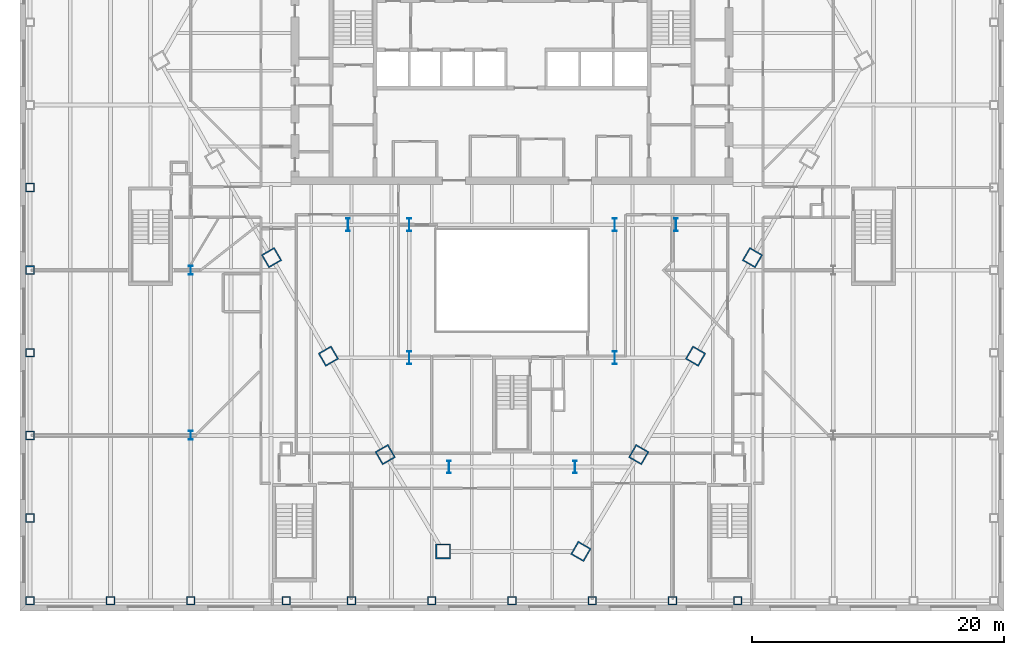
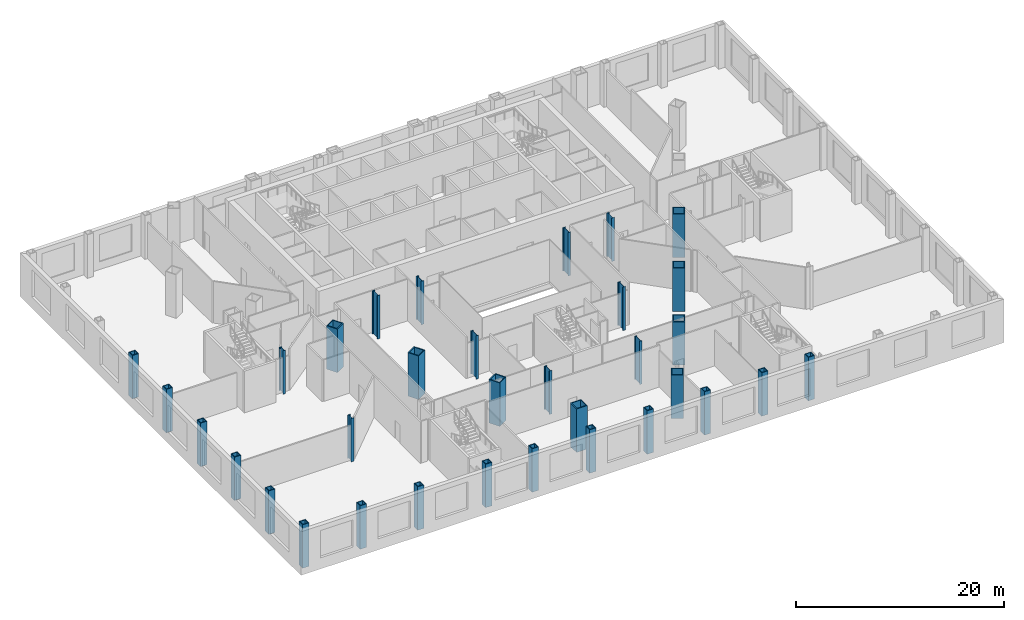
# One storey, part 1 of 21: 33 columns.
"""IFC4 building model written with IfcOpenShell, lengths in metres."""

from ifc_helpers import new_model, si_unit, direction, frame, origin, origin_2d, place, context, subcontext, project, spatial, hollow_rectangle, i_section, extrude, material, material_profile, profile_set, type_object, element, save


model = new_model("IFC4")

# Units and contexts
model_context = context("Model", 3, precision=1e-05, world=origin(), true_north=direction((0.0, 1.0)))
body_context = subcontext(model_context, "Body", "Model", "MODEL_VIEW")
ifc_project = project(units=[si_unit("LENGTHUNIT", "METRE"), si_unit("AREAUNIT", "SQUARE_METRE"), si_unit("VOLUMEUNIT", "CUBIC_METRE"), si_unit("PLANEANGLEUNIT", "RADIAN"), si_unit("MASSUNIT", "GRAM", prefix="KILO")], contexts=[model_context])

# Site, building, storey
site_placement = place(None, origin())
site = spatial("IfcSite", under=ifc_project, at=site_placement, CompositionType="ELEMENT")
building_placement = place(site_placement, origin())
building = spatial("IfcBuilding", under=site, at=building_placement, Name="Njiva Tower", CompositionType="ELEMENT")
storey_placement = place(building_placement, frame((0.0, 0.0, 13.5)))
storey = spatial("IfcBuildingStorey", under=building, at=storey_placement, Name="L02", CompositionType="ELEMENT", Elevation=13.5)

# Columns
ifc_material = material(Name="Steel S355 J2", Category="steel")
ifc_material_profile_1 = material_profile(ifc_material, hollow_rectangle(XDim=1.2, YDim=1.2, WallThickness=0.1, at=origin_2d()), Name="BOX 1200x1200x100")
ifc_profile_set_1 = profile_set([ifc_material_profile_1], Name="Steel S355 J2")
column_type_1 = type_object("IfcColumnType", Name="C1 Mega-column BOX 1200x1200x100", PredefinedType="COLUMN", material=ifc_profile_set_1)
for number, where, z_axis, x_axis, name in (
    (1, (-19.061, -5.807, 0.0), (0.0, 0.0, 1.0), (0.5, -0.866025403784, 0.0), "Mega-column L02-C09"),
    (2, (-14.553, -13.615, 0.0), (0.0, 0.0, 1.0), (0.5, -0.866025403784, 0.0), "Mega-column L02-C10"),
    (3, (-10.046, -21.422, 0.0), (0.0, 0.0, 1.0), (0.5, -0.866025403784, 0.0), "Mega-column L02-C11"),
    (4, (-5.461, -29.096, 0.0), (0.0, 0.0, 1.0), (1.0, 0.0, 0.0), "Mega-column L02-C12"),
    (5, (5.461, -29.096, 0.0), (0.0, 0.0, 1.0), (0.5, 0.866025403784, 0.0), "Mega-column L02-C13"),
    (6, (10.046, -21.422, 0.0), (0.0, 0.0, 1.0), (0.5, 0.866025403784, 0.0), "Mega-column L02-C14"),
    (7, (14.553, -13.615, 0.0), (0.0, 0.0, 1.0), (0.5, 0.866025403784, 0.0), "Mega-column L02-C15"),
    (8, (19.061, -5.807, 0.0), (0.0, 0.0, 1.0), (0.5, 0.866025403784, 0.0), "Mega-column L02-C16"),
):
    element("IfcColumn", number, at=place(storey_placement, frame(where, z_axis=z_axis, x_axis=x_axis)), inside=storey, type_object=column_type_1, Name=name, PredefinedType="COLUMN", context=body_context, shape_type="SweptSolid", body=[
        extrude(hollow_rectangle(XDim=1.2, YDim=1.2, WallThickness=0.1, at=origin_2d()), origin(), (0.0, 0.0, 1.0), 5.1),
    ])
ifc_material_profile_2 = material_profile(ifc_material, i_section(OverallWidth=0.302, OverallDepth=1.008, WebThickness=0.021, FlangeThickness=0.04, at=origin_2d()), Name="HEM 1000")
ifc_profile_set_2 = profile_set([ifc_material_profile_2], Name="Steel S355 J2")
column_type_2 = type_object("IfcColumnType", Name="C2 Interior column HEM 1000", PredefinedType="COLUMN", material=ifc_profile_set_2)
for number, where, z_axis, x_axis, name in (
    (9, (8.15, -3.2, 0.0), (0.0, 0.0, 1.0), (1.0, 0.0, 0.0), "Interior column L02-C19"),
    (10, (-8.15, -3.2, 0.0), (0.0, 0.0, 1.0), (1.0, 0.0, 0.0), "Interior column L02-C20"),
    (11, (8.15, -13.75, 0.0), (0.0, 0.0, 1.0), (1.0, 0.0, 0.0), "Interior column L02-C21"),
    (12, (-8.15, -13.75, 0.0), (0.0, 0.0, 1.0), (1.0, 0.0, 0.0), "Interior column L02-C22"),
    (13, (5.0, -22.4, 0.0), (0.0, 0.0, 1.0), (1.0, 0.0, 0.0), "Interior column L02-C23"),
    (14, (-5.0, -22.4, 0.0), (0.0, 0.0, 1.0), (1.0, 0.0, 0.0), "Interior column L02-C24"),
    (15, (13.0, -3.2, 0.0), (0.0, 0.0, 1.0), (1.0, 0.0, 0.0), "Interior column L02-C25"),
    (16, (-13.0, -3.2, 0.0), (0.0, 0.0, 1.0), (1.0, 0.0, 0.0), "Interior column L02-C26"),
):
    element("IfcColumn", number, at=place(storey_placement, frame(where, z_axis=z_axis, x_axis=x_axis)), inside=storey, type_object=column_type_2, Name=name, PredefinedType="COLUMN", context=body_context, shape_type="SweptSolid", body=[
        extrude(i_section(OverallWidth=0.302, OverallDepth=1.008, WebThickness=0.021, FlangeThickness=0.04, at=origin_2d()), origin(), (0.0, 0.0, 1.0), 5.1),
    ])
ifc_material_profile_3 = material_profile(ifc_material, hollow_rectangle(XDim=0.7, YDim=0.7, WallThickness=0.08, at=origin_2d()), Name="BOX 700x700x80")
ifc_profile_set_3 = profile_set([ifc_material_profile_3], Name="Steel S355 J2")
column_type_3 = type_object("IfcColumnType", Name="C3 Podium perimeter column BOX 700x700x80", PredefinedType="COLUMN", material=ifc_profile_set_3)
for number, where, z_axis, x_axis, name in (
    (17, (-38.2, -0.25, 0.0), (0.0, 0.0, 1.0), (0.0, -1.0, 0.0), "Podium perimeter column L02-C45"),
    (18, (-38.2, -6.8, 0.0), (0.0, 0.0, 1.0), (0.0, -1.0, 0.0), "Podium perimeter column L02-C46"),
    (19, (-38.2, -13.35, 0.0), (0.0, 0.0, 1.0), (0.0, -1.0, 0.0), "Podium perimeter column L02-C47"),
    (20, (-38.2, -19.9, 0.0), (0.0, 0.0, 1.0), (0.0, -1.0, 0.0), "Podium perimeter column L02-C48"),
    (21, (-38.2, -26.45, 0.0), (0.0, 0.0, 1.0), (0.0, -1.0, 0.0), "Podium perimeter column L02-C49"),
    (22, (-38.2, -33.0, 0.0), (0.0, 0.0, 1.0), (1.0, 0.0, 0.0), "Podium perimeter column L02-C50"),
    (23, (-31.833, -33.0, 0.0), (0.0, 0.0, 1.0), (1.0, 0.0, 0.0), "Podium perimeter column L02-C51"),
    (24, (-25.467, -33.0, 0.0), (0.0, 0.0, 1.0), (1.0, 0.0, 0.0), "Podium perimeter column L02-C52"),
    (25, (-17.9, -33.0, 0.0), (0.0, 0.0, 1.0), (1.0, 0.0, 0.0), "Podium perimeter column L02-C53"),
    (26, (-12.733, -33.0, 0.0), (0.0, 0.0, 1.0), (1.0, 0.0, 0.0), "Podium perimeter column L02-C54"),
    (27, (-6.367, -33.0, 0.0), (0.0, 0.0, 1.0), (1.0, 0.0, 0.0), "Podium perimeter column L02-C55"),
    (28, (0.0, -33.0, 0.0), (0.0, 0.0, 1.0), (1.0, 0.0, 0.0), "Podium perimeter column L02-C56"),
    (29, (6.367, -33.0, 0.0), (0.0, 0.0, 1.0), (1.0, 0.0, 0.0), "Podium perimeter column L02-C57"),
    (30, (12.733, -33.0, 0.0), (0.0, 0.0, 1.0), (1.0, 0.0, 0.0), "Podium perimeter column L02-C58"),
    (31, (17.9, -33.0, 0.0), (0.0, 0.0, 1.0), (1.0, 0.0, 0.0), "Podium perimeter column L02-C59"),
):
    element("IfcColumn", number, at=place(storey_placement, frame(where, z_axis=z_axis, x_axis=x_axis)), inside=storey, type_object=column_type_3, Name=name, PredefinedType="COLUMN", context=body_context, shape_type="SweptSolid", body=[
        extrude(hollow_rectangle(XDim=0.7, YDim=0.7, WallThickness=0.08, at=origin_2d()), origin(), (0.0, 0.0, 1.0), 5.1),
    ])
ifc_material_profile_4 = material_profile(ifc_material, i_section(OverallWidth=0.304, OverallDepth=0.716, WebThickness=0.021, FlangeThickness=0.04, at=origin_2d()), Name="HEM 700")
ifc_profile_set_4 = profile_set([ifc_material_profile_4], Name="Steel S355 J2")
column_type_4 = type_object("IfcColumnType", Name="C4 Station column HEM 700", PredefinedType="COLUMN", material=ifc_profile_set_4)
for number, where, z_axis, x_axis, name in (
    (32, (-25.467, -6.8, 0.0), (0.0, 0.0, 1.0), (1.0, 0.0, 0.0), "Station column L02-C62"),
    (33, (-25.467, -19.9, 0.0), (0.0, 0.0, 1.0), (1.0, 0.0, 0.0), "Station column L02-C63"),
):
    element("IfcColumn", number, at=place(storey_placement, frame(where, z_axis=z_axis, x_axis=x_axis)), inside=storey, type_object=column_type_4, Name=name, PredefinedType="COLUMN", context=body_context, shape_type="SweptSolid", body=[
        extrude(i_section(OverallWidth=0.304, OverallDepth=0.716, WebThickness=0.021, FlangeThickness=0.04, at=origin_2d()), origin(), (0.0, 0.0, 1.0), 5.1),
    ])

save(model, "model.ifc")
